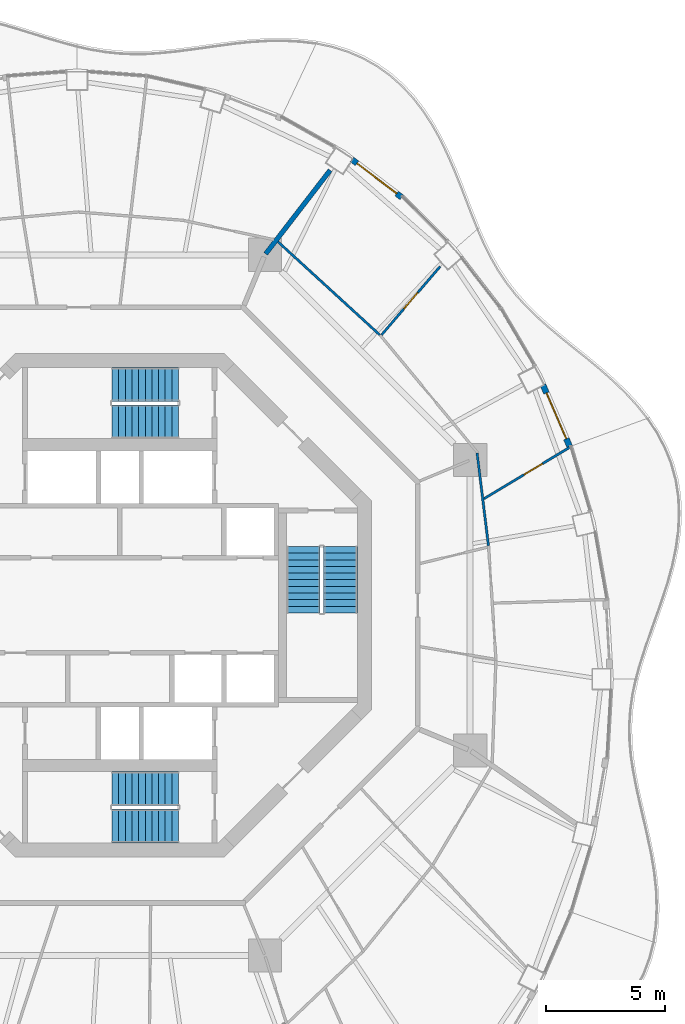
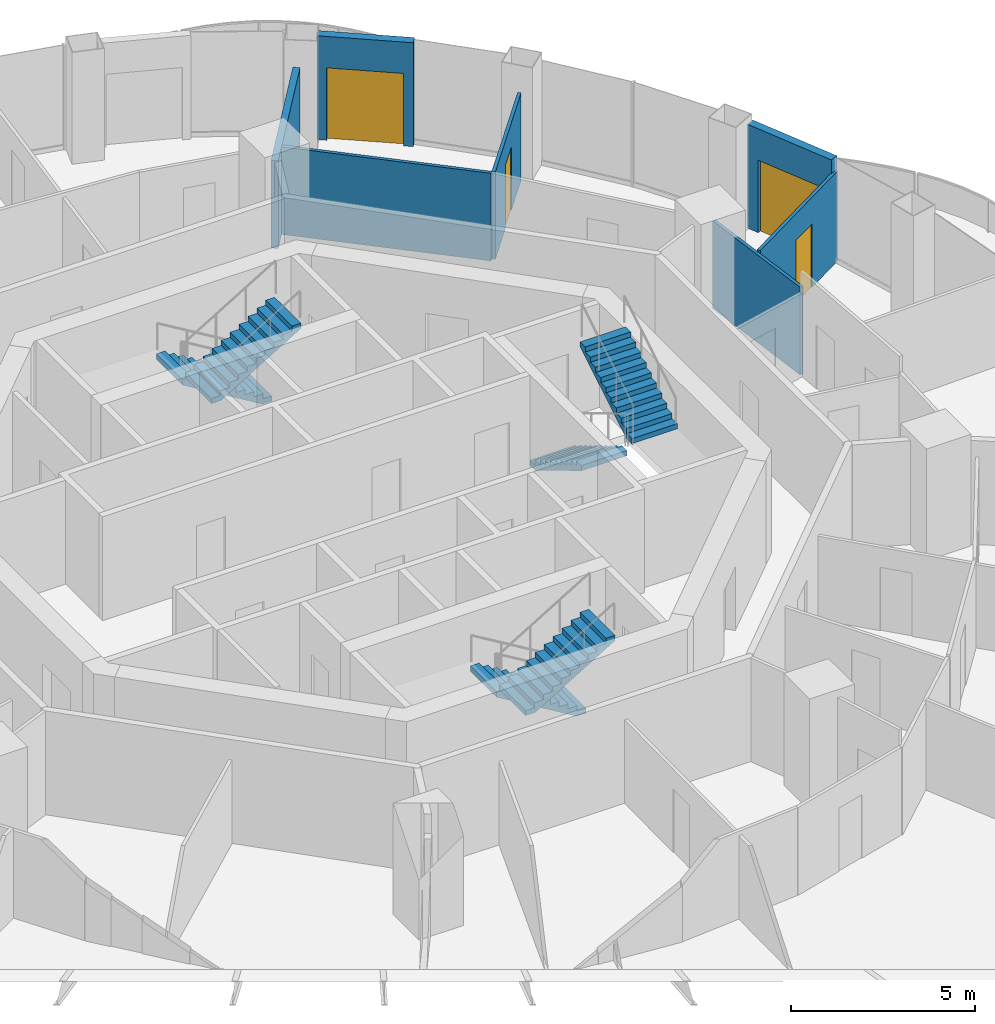
# One storey, part 14 of 17: 7 walls, 6 stair flights, 4 doors, 4 openings, 3 elements without a shape of their own.
"""IFC4 building model written with IfcOpenShell, lengths in metres."""

import ifcopenshell
import ifcopenshell.guid

model = None  # the IFC model being written
_history = None  # IfcOwnerHistory: only IFC2X3 demands one
_inside = {}  # id of a spatial element -> (the spatial element, [elements in it])
_under = {}  # id of a project, library or spatial element -> (it, [spatial elements below it])
_declared = {}  # id of a project -> (the project, [libraries it declares])
_typed = {}  # id of a type object -> (the type object, [elements of that type])
_made_of = {}  # id of a material, layer set ... -> (it, [elements and type objects made of it])


def new_model(schema):
    """Start an empty IFC model of exactly this schema.

    Asked for "IFC4X3", IfcOpenShell would pick the latest addendum, in which some entities
    have other attributes; the version numbers below select the first issue.
    IFC2X3 requires an IfcOwnerHistory on every rooted entity: one is made here for all.
    """
    global model, _history
    if schema == "IFC4X3":
        model = ifcopenshell.file(schema_version=(4, 3, 0, 0))
    else:
        model = ifcopenshell.file(schema=schema)
    _inside.clear()
    _under.clear()
    _declared.clear()
    _typed.clear()
    _made_of.clear()
    _history = None
    if model.schema == "IFC2X3":
        org = make("IfcOrganization", Name="unknown")
        user = make(
            "IfcPersonAndOrganization",
            ThePerson=make("IfcPerson", FamilyName="unknown"),
            TheOrganization=org,
        )
        app = make(
            "IfcApplication",
            ApplicationDeveloper=org,
            Version="unknown",
            ApplicationFullName="unknown",
            ApplicationIdentifier="unknown",
        )
        _history = make(
            "IfcOwnerHistory",
            OwningUser=user,
            OwningApplication=app,
            ChangeAction="ADDED",
            CreationDate=0,
        )
    return model


def make(cls, **values):
    """One entity of the class cls with the attributes given. An attribute that is None is left unset."""
    return model.create_entity(
        cls, **{name: value for name, value in values.items() if value is not None}
    )


def rooted(cls, **values):
    """An entity with a GlobalId (a new one), such as an element, a storey or a relation."""
    return make(cls, GlobalId=ifcopenshell.guid.new(), OwnerHistory=_history, **values)


def si_unit(unit_type, name, prefix=None):
    """IfcSIUnit, for example si_unit("LENGTHUNIT", "METRE", prefix="MILLI")."""
    return make("IfcSIUnit", UnitType=unit_type, Prefix=prefix, Name=name)


def assignment(units):
    """IfcUnitAssignment: the units of a project."""
    return None if units is None else make("IfcUnitAssignment", Units=units)


def point(xyz):
    """IfcCartesianPoint."""
    return None if xyz is None else make("IfcCartesianPoint", Coordinates=xyz)


def direction(xyz):
    """IfcDirection."""
    return None if xyz is None else make("IfcDirection", DirectionRatios=xyz)


def frame(location, z_axis=None, x_axis=None):
    """IfcAxis2Placement3D, a coordinate frame: its origin and axes. An axis left out is left unset."""
    return make(
        "IfcAxis2Placement3D",
        Location=point(location),
        Axis=direction(z_axis),
        RefDirection=direction(x_axis),
    )


def frame_2d(location, x_axis=None):
    """IfcAxis2Placement2D, a coordinate frame in the plane: its origin and x axis."""
    return make(
        "IfcAxis2Placement2D", Location=point(location), RefDirection=direction(x_axis)
    )


def origin():
    """The frame at (0, 0, 0) with its axes left unset."""
    return frame((0.0, 0.0, 0.0))


def place(relative_to, where):
    """IfcLocalPlacement: puts the frame where relative to a parent placement (None: the world)."""
    return make(
        "IfcLocalPlacement", PlacementRelTo=relative_to, RelativePlacement=where
    )


def context(
    kind, dimensions, precision=None, world=None, true_north=None, identifier=None
):
    """IfcGeometricRepresentationContext, for example the 3D "Model" context."""
    return make(
        "IfcGeometricRepresentationContext",
        ContextIdentifier=identifier,
        ContextType=kind,
        CoordinateSpaceDimension=dimensions,
        Precision=precision,
        WorldCoordinateSystem=world,
        TrueNorth=true_north,
    )


def subcontext(parent, identifier, kind, view, scale=None):
    """IfcGeometricRepresentationSubContext, for example "Body" below "Model"."""
    return make(
        "IfcGeometricRepresentationSubContext",
        ContextIdentifier=identifier,
        ContextType=kind,
        ParentContext=parent,
        TargetScale=scale,
        TargetView=view,
    )


def project(units=None, contexts=None):
    """IfcProject with its units and contexts."""
    return rooted(
        "IfcProject",
        Name="project",
        RepresentationContexts=contexts,
        UnitsInContext=assignment(units),
    )


def spatial(cls, under=None, at=None, **own):
    """A site, building, storey or space (cls), placed at a placement, below another one or the project."""
    s = rooted(cls, ObjectPlacement=at, **own)
    if under is not None:
        _under.setdefault(under.id(), (under, []))[1].append(s)
    return s


def polyline(points):
    """IfcPolyline through the points."""
    return make("IfcPolyline", Points=[point(p) for p in points])


def profile(cls, at=None, kind="AREA", **sizes):
    """A parametric profile (cls). Its sizes go by their IFC names, for example OverallWidth=200.0."""
    return make(cls, ProfileType=kind, Position=at, **sizes)


def rectangle(**sizes):
    """IfcRectangleProfileDef."""
    return profile("IfcRectangleProfileDef", **sizes)


def outline(outer, holes=None, kind="AREA"):
    """IfcArbitraryClosedProfileDef: a profile drawn as a closed curve; with holes, ...WithVoids."""
    if holes is None:
        return make("IfcArbitraryClosedProfileDef", ProfileType=kind, OuterCurve=outer)
    return make(
        "IfcArbitraryProfileDefWithVoids",
        ProfileType=kind,
        OuterCurve=outer,
        InnerCurves=holes,
    )


def extrude(swept, where, along, depth):
    """IfcExtrudedAreaSolid: the profile swept, set in the frame where, extruded along a direction by depth."""
    return make(
        "IfcExtrudedAreaSolid",
        SweptArea=swept,
        Position=where,
        ExtrudedDirection=direction(along),
        Depth=depth,
    )


def shape(context_of_items, identifier, shape_type, items):
    """IfcShapeRepresentation: the items that make up one representation, for example the "Body"."""
    return make(
        "IfcShapeRepresentation",
        ContextOfItems=context_of_items,
        RepresentationIdentifier=identifier,
        RepresentationType=shape_type,
        Items=items,
    )


def material(Name=None, Category=None):
    """IfcMaterial."""
    return make("IfcMaterial", Name=Name, Category=Category)


def layer(
    of_material, thickness, ventilated=None, Name=None, Category=None, Priority=None
):
    """IfcMaterialLayer: one layer of a wall or slab, of a material (None: an air gap)."""
    return make(
        "IfcMaterialLayer",
        Material=of_material,
        LayerThickness=thickness,
        IsVentilated=ventilated,
        Name=Name,
        Category=Category,
        Priority=Priority,
    )


def layer_set(layers, Name=None):
    """IfcMaterialLayerSet."""
    return make("IfcMaterialLayerSet", MaterialLayers=layers, LayerSetName=Name)


def made_of(thing, what):
    """Note that an element or type object is made of a material, layer set ...; save() writes the relation."""
    if what is not None:
        _made_of.setdefault(what.id(), (what, []))[1].append(thing)
    return thing


def type_object(cls, material=None, **own):
    """A type object (cls), such as IfcWallType, which elements share."""
    return made_of(rooted(cls, **own), material)


def element(
    cls,
    number,
    at=None,
    inside=None,
    cuts=None,
    type_object=None,
    material=None,
    context=None,
    identifier="Body",
    shape_type=None,
    held_by="IfcProductDefinitionShape",
    body=None,
    shapes=None,
    **own,
):
    """One element of the class cls, such as IfcWall. Its Tag is "e" and its number.

    at: its placement. inside: the storey or other place that contains it. cuts: it is an
    opening in that element (IfcRelVoidsElement). A single representation is given by context,
    identifier, shape_type and body (its items); several are given by shapes. held_by: the class
    of the entity that holds the representations. save() writes the other relations.
    """
    e = rooted(cls, Tag="e%d" % number, ObjectPlacement=at, **own)
    if body is not None:
        shapes = [shape(context, identifier, shape_type, body)]
    if shapes is not None:
        e.Representation = make(held_by, Representations=shapes)
    if inside is not None:
        _inside.setdefault(inside.id(), (inside, []))[1].append(e)
    if cuts is not None:
        rooted(
            "IfcRelVoidsElement", RelatingBuildingElement=cuts, RelatedOpeningElement=e
        )
    if type_object is not None:
        _typed.setdefault(type_object.id(), (type_object, []))[1].append(e)
    return made_of(e, material)


def fill(opening, filler):
    """IfcRelFillsElement: the door or window that sits in an opening."""
    return rooted(
        "IfcRelFillsElement",
        RelatingOpeningElement=opening,
        RelatedBuildingElement=filler,
    )


def aggregate(whole, parts):
    """IfcRelAggregates: a whole, such as a stair, and the parts it consists of."""
    return rooted("IfcRelAggregates", RelatingObject=whole, RelatedObjects=parts)


def save(model, path):
    """Write the relations noted so far, then the file.

    IfcRelAggregates (storeys below a building ...), IfcRelContainedInSpatialStructure (elements
    in a storey), IfcRelDefinesByType, IfcRelAssociatesMaterial and IfcRelDeclares: one each for
    every whole, place, type object, material and project.
    """
    for whole, parts in _under.values():
        aggregate(whole, parts)
    for where, things in _inside.values():
        rooted(
            "IfcRelContainedInSpatialStructure",
            RelatedElements=things,
            RelatingStructure=where,
        )
    for kind, things in _typed.values():
        rooted("IfcRelDefinesByType", RelatedObjects=things, RelatingType=kind)
    for what, things in _made_of.values():
        rooted("IfcRelAssociatesMaterial", RelatedObjects=things, RelatingMaterial=what)
    for by, libraries in _declared.values():
        rooted("IfcRelDeclares", RelatingContext=by, RelatedDefinitions=libraries)
    model.write(path)


model = new_model("IFC4")

# Units and contexts
model_context = context("Model", 3, precision=1e-05, world=origin(), true_north=direction((0.0, 1.0)))
body_context = subcontext(model_context, "Body", "Model", "MODEL_VIEW")
ifc_project = project(units=[si_unit("LENGTHUNIT", "METRE"), si_unit("AREAUNIT", "SQUARE_METRE"), si_unit("VOLUMEUNIT", "CUBIC_METRE"), si_unit("PLANEANGLEUNIT", "RADIAN"), si_unit("MASSUNIT", "GRAM", prefix="KILO")], contexts=[model_context])

# Site, building, storey
site_placement = place(None, origin())
site = spatial("IfcSite", under=ifc_project, at=site_placement, CompositionType="ELEMENT")
building_placement = place(site_placement, origin())
building = spatial("IfcBuilding", under=site, at=building_placement, Name="Nagisa Residences", CompositionType="ELEMENT")
storey_placement = place(building_placement, frame((0.0, 0.0, 262.199951171875)))
storey = spatial("IfcBuildingStorey", under=building, at=storey_placement, Name="L66", CompositionType="ELEMENT", Elevation=262.199951171875)

# Walls
ifc_material_1 = material(Name="Gypsum board on steel studs", Category="steel")
ifc_layer_1 = layer(ifc_material_1, 0.199951171875)
ifc_layer_set_1 = layer_set([ifc_layer_1], Name="Apartment compartment wall EI60 200")
wall_type_1 = type_object("IfcWallType", Name="Apartment compartment wall EI60 200", PredefinedType="PARTITIONING", material=ifc_layer_set_1)
wall_1_placement = place(storey_placement, frame((6.153564453125, 14.821533203125, 0.0), z_axis=(0.0, 0.0, 1.0), x_axis=(0.610687612043, 0.791871606068, 0.0)))
element("IfcWall", 1, at=wall_1_placement, inside=storey, type_object=wall_type_1, Name="wall:L66:u01", PredefinedType="PARTITIONING", context=body_context, shape_type="SweptSolid", body=[
    extrude(rectangle(XDim=4.454833984375, YDim=0.199951171875, at=frame_2d((2.2275390625, 0.0))), origin(), (0.0, 0.0, 1.0), 2.905029296875),
])
ifc_material_2 = material(Name="Gypsum board on steel studs", Category="steel")
ifc_layer_2 = layer(ifc_material_2, 0.10009765625)
ifc_layer_set_2 = layer_set([ifc_layer_2], Name="Apartment partition 100")
wall_type_2 = type_object("IfcWallType", Name="Apartment partition 100", PredefinedType="PARTITIONING", material=ifc_layer_set_2)
wall_2_placement = place(storey_placement, frame((15.552490234375, 2.50830078125, 0.0), z_axis=(0.0, 0.0, 1.0), x_axis=(-0.12196631785, 0.992534239868, 0.0)))
element("IfcWall", 2, at=wall_2_placement, inside=storey, type_object=wall_type_2, Name="wall:L66:u21", PredefinedType="PARTITIONING", context=body_context, shape_type="SweptSolid", body=[
    extrude(rectangle(XDim=3.937255859375, YDim=0.10009765625, at=frame_2d((1.96875, 0.0))), origin(), (0.0, 0.0, 1.0), 2.905029296875),
])

# Wall, opening, door
wall_3_placement = place(storey_placement, frame((15.355224609375, 4.488037109375, 0.0), z_axis=(0.0, 0.0, 1.0), x_axis=(0.85763237524, 0.514263268123, 0.0)))
wall_3 = element("IfcWall", 3, at=wall_3_placement, inside=storey, type_object=wall_type_2, Name="wall:L66:u22", PredefinedType="PARTITIONING", context=body_context, shape_type="SweptSolid", body=[
    extrude(rectangle(XDim=4.324462890625, YDim=0.10009765625, at=frame_2d((2.162109375, 0.0))), origin(), (0.0, 0.0, 1.0), 2.983154296875),
])
opening_1_placement = place(wall_3_placement, frame((1.984619140625, 0.0, 0.0)))
opening_1 = element("IfcOpeningElement", 4, at=opening_1_placement, cuts=wall_3, Name="Opening L66-U06", PredefinedType="OPENING", context=body_context, shape_type="SweptSolid", body=[
    extrude(rectangle(XDim=0.89990234375, YDim=2.10009765625, at=frame_2d((0.449951171875, 1.050048828125))), frame((0.0, 0.06005859375, 0.0), z_axis=(0.0, -1.0, 0.0), x_axis=(1.0, 0.0, 0.0)), (0.0, 0.0, 1.0), 0.1201171875),
])
ifc_material_3 = material(Name="Timber door set", Category="wood")
door_type_1 = type_object("IfcDoorType", Name="Apartment door 900x2100", OperationType="NOTDEFINED", PredefinedType="DOOR", material=ifc_material_3)
door_1_placement = place(opening_1_placement, origin())
door_1 = element("IfcDoor", 5, at=door_1_placement, inside=storey, type_object=door_type_1, Name="Door to kitchen, Apartment 66A", OperationType="SINGLE_SWING_RIGHT", OverallHeight=2.10009765625, OverallWidth=0.89990234375, PredefinedType="DOOR", context=body_context, shape_type="SweptSolid", body=[
    extrude(rectangle(XDim=0.89990234375, YDim=2.10009765625, at=frame_2d((0.449951171875, 1.050048828125))), frame((0.0, 0.02490234375, 0.0), z_axis=(0.0, -1.0, 0.0), x_axis=(1.0, 0.0, 0.0)), (0.0, 0.0, 1.0), 0.050048828125),
])
fill(opening_1, door_1)

wall_4_placement = place(storey_placement, frame((11.041259765625, 11.402099609375, 0.0), z_axis=(0.0, 0.0, 1.0), x_axis=(0.650558544325, 0.759456108282, 0.0)))
wall_4 = element("IfcWall", 6, at=wall_4_placement, inside=storey, type_object=wall_type_2, Name="wall:L66:u25", PredefinedType="PARTITIONING", context=body_context, shape_type="SweptSolid", body=[
    extrude(rectangle(XDim=3.800048828125, YDim=0.10009765625, at=frame_2d((1.89990234375, 0.0))), origin(), (0.0, 0.0, 1.0), 2.905029296875),
])
opening_2_placement = place(wall_4_placement, frame((1.4501953125, 0.0, 0.0)))
opening_2 = element("IfcOpeningElement", 7, at=opening_2_placement, cuts=wall_4, Name="Opening L66-U07", PredefinedType="OPENING", context=body_context, shape_type="SweptSolid", body=[
    extrude(rectangle(XDim=0.89990234375, YDim=2.10009765625, at=frame_2d((0.449951171875, 1.050048828125))), frame((0.0, 0.06005859375, 0.0), z_axis=(0.0, -1.0, 0.0), x_axis=(1.0, 0.0, 0.0)), (0.0, 0.0, 1.0), 0.1201171875),
])
door_2_placement = place(opening_2_placement, origin())
door_2 = element("IfcDoor", 8, at=door_2_placement, inside=storey, type_object=door_type_1, Name="Door to bedroom, Apartment 66A", OperationType="SINGLE_SWING_LEFT", OverallHeight=2.10009765625, OverallWidth=0.89990234375, PredefinedType="DOOR", context=body_context, shape_type="SweptSolid", body=[
    extrude(rectangle(XDim=0.89990234375, YDim=2.10009765625, at=frame_2d((0.449951171875, 1.050048828125))), frame((0.0, 0.02490234375, 0.0), z_axis=(0.0, -1.0, 0.0), x_axis=(1.0, 0.0, 0.0)), (0.0, 0.0, 1.0), 0.050048828125),
])
fill(opening_2, door_2)

# Wall
wall_5_placement = place(storey_placement, frame((10.9716796875, 11.397705078125, 0.0), z_axis=(0.0, 0.0, 1.0), x_axis=(-0.737830272434, 0.674986288069, 0.0)))
element("IfcWall", 9, at=wall_5_placement, inside=storey, type_object=wall_type_2, Name="wall:L66:u26", PredefinedType="PARTITIONING", context=body_context, shape_type="SweptSolid", body=[
    extrude(rectangle(XDim=5.827392578125, YDim=0.10009765625, at=frame_2d((2.91357421875, 0.0))), origin(), (0.0, 0.0, 1.0), 2.905029296875),
])

# Wall, opening, door
ifc_material_4 = material(Name="Precast concrete C40/50", Category="concrete")
ifc_layer_3 = layer(ifc_material_4, 0.25)
ifc_layer_set_3 = layer_set([ifc_layer_3], Name="BALCONY DOOR WALL 250")
wall_type_3 = type_object("IfcWallType", Name="BALCONY DOOR WALL 250", PredefinedType="SOLIDWALL", material=ifc_layer_set_3)
wall_6_placement = place(storey_placement, frame((17.853759765625, 9.289794921875, 0.0), z_axis=(0.0, 0.0, 1.0), x_axis=(0.397597791596, -0.9175598052, 0.0)))
wall_6 = element("IfcWall", 10, at=wall_6_placement, inside=storey, type_object=wall_type_3, Name="wall:L66:bay03", PredefinedType="SOLIDWALL", context=body_context, shape_type="SweptSolid", body=[
    extrude(rectangle(XDim=2.841064453125, YDim=0.25, at=frame_2d((1.42041015625, 0.0))), origin(), (0.0, 0.0, 1.0), 3.43994140625),
])
opening_3_placement = place(wall_6_placement, frame((0.37060546875, 0.0, 0.0)))
opening_3 = element("IfcOpeningElement", 11, at=opening_3_placement, cuts=wall_6, Name="Opening BD-L66-02", PredefinedType="OPENING", context=body_context, shape_type="SweptSolid", body=[
    extrude(rectangle(XDim=2.10009765625, YDim=2.39990234375, at=frame_2d((1.050048828125, 1.199951171875))), frame((0.0, 0.135009765625, 0.0), z_axis=(0.0, -1.0, 0.0), x_axis=(1.0, 0.0, 0.0)), (0.0, 0.0, 1.0), 0.27001953125),
])
ifc_material_5 = material(Name="Aluminium and clear glass", Category="aluminium")
door_type_2 = type_object("IfcDoorType", Name="BALCONY SLIDING DOOR 2100x2400", OperationType="SLIDING_TO_LEFT", PredefinedType="DOOR", material=ifc_material_5)
door_3_placement = place(opening_3_placement, origin())
door_3 = element("IfcDoor", 12, at=door_3_placement, inside=storey, type_object=door_type_2, Name="door:L66:bay03", OperationType="SLIDING_TO_LEFT", OverallHeight=2.39990234375, OverallWidth=2.10009765625, PredefinedType="DOOR", context=body_context, shape_type="SweptSolid", body=[
    extrude(rectangle(XDim=2.10009765625, YDim=2.39990234375, at=frame_2d((1.050048828125, 1.199951171875))), frame((0.0, 0.02490234375, 0.0), z_axis=(0.0, -1.0, 0.0), x_axis=(1.0, 0.0, 0.0)), (0.0, 0.0, 1.0), 0.050048828125),
])
fill(opening_3, door_3)

wall_7_placement = place(storey_placement, frame((9.79248046875, 18.802001953125, 0.0), z_axis=(0.0, 0.0, 1.0), x_axis=(0.796010739377, -0.605282498339, 0.0)))
wall_7 = element("IfcWall", 13, at=wall_7_placement, inside=storey, type_object=wall_type_3, Name="wall:L66:bay07", PredefinedType="SOLIDWALL", context=body_context, shape_type="SweptSolid", body=[
    extrude(rectangle(XDim=2.640625, YDim=0.25, at=frame_2d((1.3203125, 0.0))), origin(), (0.0, 0.0, 1.0), 3.43994140625),
])
opening_4_placement = place(wall_7_placement, frame((0.270263671875, 0.0, 0.0)))
opening_4 = element("IfcOpeningElement", 14, at=opening_4_placement, cuts=wall_7, Name="Opening BD-L66-03", PredefinedType="OPENING", context=body_context, shape_type="SweptSolid", body=[
    extrude(rectangle(XDim=2.10009765625, YDim=2.39990234375, at=frame_2d((1.050048828125, 1.199951171875))), frame((0.0, 0.135009765625, 0.0), z_axis=(0.0, -1.0, 0.0), x_axis=(1.0, 0.0, 0.0)), (0.0, 0.0, 1.0), 0.27001953125),
])
door_4_placement = place(opening_4_placement, origin())
door_4 = element("IfcDoor", 15, at=door_4_placement, inside=storey, type_object=door_type_2, Name="door:L66:bay07", OperationType="SLIDING_TO_LEFT", OverallHeight=2.39990234375, OverallWidth=2.10009765625, PredefinedType="DOOR", context=body_context, shape_type="SweptSolid", body=[
    extrude(rectangle(XDim=2.10009765625, YDim=2.39990234375, at=frame_2d((1.050048828125, 1.199951171875))), frame((0.0, 0.02490234375, 0.0), z_axis=(0.0, -1.0, 0.0), x_axis=(1.0, 0.0, 0.0)), (0.0, 0.0, 1.0), 0.050048828125),
])
fill(opening_4, door_4)

# Stair, stair flights
ifc_material_6 = material(Name="Concrete C60", Category="concrete")
stair_type = type_object("IfcStairType", Name="Exit stair", PredefinedType="HALF_TURN_STAIR", material=ifc_material_6)
stair_1_placement = place(storey_placement, origin())
stair_1 = element("IfcStair", 16, at=stair_1_placement, inside=storey, type_object=stair_type, Name="L66 Exit stair E", PredefinedType="HALF_TURN_STAIR")
ifc_material_7 = material(Name="Concrete C60", Category="concrete")
stair_flight_type = type_object("IfcStairFlightType", Name="Exit stair flight", PredefinedType="STRAIGHT", material=ifc_material_7)
stair_flight_1_placement = place(storey_placement, frame((7.737060546875, 2.47509765625, 0.0), z_axis=(0.0, 0.0, 1.0), x_axis=(0.0, -1.0, 0.0)))
stair_flight_1 = element("IfcStairFlight", 17, at=stair_flight_1_placement, type_object=stair_flight_type, Name="ST-E flight 1", NumberOfRisers=11, NumberOfTreads=10, PredefinedType="STRAIGHT", RiserHeight=0.168181818, TreadLength=0.28, context=body_context, shape_type="SweptSolid", body=[
    extrude(outline(polyline([(0.0, 0.0), (0.0, 0.168212890625), (0.280029296875, 0.168212890625), (0.280029296875, 0.33642578125), (0.56005859375, 0.33642578125), (0.56005859375, 0.504638671875), (0.840087890625, 0.504638671875), (0.840087890625, 0.672607421875), (1.1201171875, 0.672607421875), (1.1201171875, 0.8408203125), (1.39990234375, 0.8408203125), (1.39990234375, 1.009033203125), (1.679931640625, 1.009033203125), (1.679931640625, 1.17724609375), (1.9599609375, 1.17724609375), (1.9599609375, 1.345458984375), (2.239990234375, 1.345458984375), (2.239990234375, 1.513671875), (2.52001953125, 1.513671875), (2.52001953125, 1.681884765625), (2.800048828125, 1.681884765625), (2.800048828125, 1.85009765625), (2.800048828125, 1.5068359375), (0.291015625, 0.0), (0.0, 0.0)])), frame((0.0, 0.71240234375, 0.0), z_axis=(0.0, -1.0, 0.0), x_axis=(1.0, 0.0, 0.0)), (0.0, 0.0, 1.0), 1.425048828125),
])
stair_flight_2_placement = place(storey_placement, frame((9.31201171875, -0.324951171875, 1.85009765625), z_axis=(0.0, 0.0, 1.0), x_axis=(0.0, 1.0, 0.0)))
stair_flight_2 = element("IfcStairFlight", 18, at=stair_flight_2_placement, type_object=stair_flight_type, Name="ST-E flight 2", NumberOfRisers=11, NumberOfTreads=10, PredefinedType="STRAIGHT", RiserHeight=0.168181818, TreadLength=0.28, context=body_context, shape_type="SweptSolid", body=[
    extrude(outline(polyline([(0.0, 0.0), (0.0, 0.168212890625), (0.280029296875, 0.168212890625), (0.280029296875, 0.33642578125), (0.56005859375, 0.33642578125), (0.56005859375, 0.504638671875), (0.840087890625, 0.504638671875), (0.840087890625, 0.672607421875), (1.1201171875, 0.672607421875), (1.1201171875, 0.8408203125), (1.39990234375, 0.8408203125), (1.39990234375, 1.009033203125), (1.679931640625, 1.009033203125), (1.679931640625, 1.17724609375), (1.9599609375, 1.17724609375), (1.9599609375, 1.345458984375), (2.239990234375, 1.345458984375), (2.239990234375, 1.513671875), (2.52001953125, 1.513671875), (2.52001953125, 1.681884765625), (2.800048828125, 1.681884765625), (2.800048828125, 1.85009765625), (2.800048828125, 1.5068359375), (0.291015625, 0.0), (0.0, 0.0)])), frame((0.0, 0.71240234375, 0.0), z_axis=(0.0, -1.0, 0.0), x_axis=(1.0, 0.0, 0.0)), (0.0, 0.0, 1.0), 1.425048828125),
])
aggregate(stair_1, [stair_flight_1, stair_flight_2])

stair_2_placement = place(storey_placement, origin())
stair_2 = element("IfcStair", 19, at=stair_2_placement, inside=storey, type_object=stair_type, Name="L66 Exit stair N", PredefinedType="HALF_TURN_STAIR")
stair_flight_3_placement = place(storey_placement, frame((2.47509765625, 9.31201171875, 0.0), z_axis=(0.0, 0.0, 1.0), x_axis=(-1.0, 0.0, 0.0)))
stair_flight_3 = element("IfcStairFlight", 20, at=stair_flight_3_placement, type_object=stair_flight_type, Name="ST-N flight 1", NumberOfRisers=11, NumberOfTreads=10, PredefinedType="STRAIGHT", RiserHeight=0.168181818, TreadLength=0.28, context=body_context, shape_type="SweptSolid", body=[
    extrude(outline(polyline([(0.0, 0.0), (0.0, 0.168212890625), (0.280029296875, 0.168212890625), (0.280029296875, 0.33642578125), (0.56005859375, 0.33642578125), (0.56005859375, 0.504638671875), (0.840087890625, 0.504638671875), (0.840087890625, 0.672607421875), (1.1201171875, 0.672607421875), (1.1201171875, 0.8408203125), (1.39990234375, 0.8408203125), (1.39990234375, 1.009033203125), (1.679931640625, 1.009033203125), (1.679931640625, 1.17724609375), (1.9599609375, 1.17724609375), (1.9599609375, 1.345458984375), (2.239990234375, 1.345458984375), (2.239990234375, 1.513671875), (2.52001953125, 1.513671875), (2.52001953125, 1.681884765625), (2.800048828125, 1.681884765625), (2.800048828125, 1.85009765625), (2.800048828125, 1.5068359375), (0.291015625, 0.0), (0.0, 0.0)])), frame((0.0, 0.71240234375, 0.0), z_axis=(0.0, -1.0, 0.0), x_axis=(1.0, 0.0, 0.0)), (0.0, 0.0, 1.0), 1.425048828125),
])
stair_flight_4_placement = place(storey_placement, frame((-0.324951171875, 7.737060546875, 1.85009765625), z_axis=(0.0, 0.0, 1.0), x_axis=(1.0, 0.0, 0.0)))
stair_flight_4 = element("IfcStairFlight", 21, at=stair_flight_4_placement, type_object=stair_flight_type, Name="ST-N flight 2", NumberOfRisers=11, NumberOfTreads=10, PredefinedType="STRAIGHT", RiserHeight=0.168181818, TreadLength=0.28, context=body_context, shape_type="SweptSolid", body=[
    extrude(outline(polyline([(0.0, 0.0), (0.0, 0.168212890625), (0.280029296875, 0.168212890625), (0.280029296875, 0.33642578125), (0.56005859375, 0.33642578125), (0.56005859375, 0.504638671875), (0.840087890625, 0.504638671875), (0.840087890625, 0.672607421875), (1.1201171875, 0.672607421875), (1.1201171875, 0.8408203125), (1.39990234375, 0.8408203125), (1.39990234375, 1.009033203125), (1.679931640625, 1.009033203125), (1.679931640625, 1.17724609375), (1.9599609375, 1.17724609375), (1.9599609375, 1.345458984375), (2.239990234375, 1.345458984375), (2.239990234375, 1.513671875), (2.52001953125, 1.513671875), (2.52001953125, 1.681884765625), (2.800048828125, 1.681884765625), (2.800048828125, 1.85009765625), (2.800048828125, 1.5068359375), (0.291015625, 0.0), (0.0, 0.0)])), frame((0.0, 0.71240234375, 0.0), z_axis=(0.0, -1.0, 0.0), x_axis=(1.0, 0.0, 0.0)), (0.0, 0.0, 1.0), 1.425048828125),
])
aggregate(stair_2, [stair_flight_3, stair_flight_4])

stair_3_placement = place(storey_placement, origin())
stair_3 = element("IfcStair", 22, at=stair_3_placement, inside=storey, type_object=stair_type, Name="L66 Exit stair S", PredefinedType="HALF_TURN_STAIR")
stair_flight_5_placement = place(storey_placement, frame((2.47509765625, -7.737060546875, 0.0), z_axis=(0.0, 0.0, 1.0), x_axis=(-1.0, 0.0, 0.0)))
stair_flight_5 = element("IfcStairFlight", 23, at=stair_flight_5_placement, type_object=stair_flight_type, Name="ST-S flight 1", NumberOfRisers=11, NumberOfTreads=10, PredefinedType="STRAIGHT", RiserHeight=0.168181818, TreadLength=0.28, context=body_context, shape_type="SweptSolid", body=[
    extrude(outline(polyline([(0.0, 0.0), (0.0, 0.168212890625), (0.280029296875, 0.168212890625), (0.280029296875, 0.33642578125), (0.56005859375, 0.33642578125), (0.56005859375, 0.504638671875), (0.840087890625, 0.504638671875), (0.840087890625, 0.672607421875), (1.1201171875, 0.672607421875), (1.1201171875, 0.8408203125), (1.39990234375, 0.8408203125), (1.39990234375, 1.009033203125), (1.679931640625, 1.009033203125), (1.679931640625, 1.17724609375), (1.9599609375, 1.17724609375), (1.9599609375, 1.345458984375), (2.239990234375, 1.345458984375), (2.239990234375, 1.513671875), (2.52001953125, 1.513671875), (2.52001953125, 1.681884765625), (2.800048828125, 1.681884765625), (2.800048828125, 1.85009765625), (2.800048828125, 1.5068359375), (0.291015625, 0.0), (0.0, 0.0)])), frame((0.0, 0.71240234375, 0.0), z_axis=(0.0, -1.0, 0.0), x_axis=(1.0, 0.0, 0.0)), (0.0, 0.0, 1.0), 1.425048828125),
])
stair_flight_6_placement = place(storey_placement, frame((-0.324951171875, -9.31201171875, 1.85009765625), z_axis=(0.0, 0.0, 1.0), x_axis=(1.0, 0.0, 0.0)))
stair_flight_6 = element("IfcStairFlight", 24, at=stair_flight_6_placement, type_object=stair_flight_type, Name="ST-S flight 2", NumberOfRisers=11, NumberOfTreads=10, PredefinedType="STRAIGHT", RiserHeight=0.168181818, TreadLength=0.28, context=body_context, shape_type="SweptSolid", body=[
    extrude(outline(polyline([(0.0, 0.0), (0.0, 0.168212890625), (0.280029296875, 0.168212890625), (0.280029296875, 0.33642578125), (0.56005859375, 0.33642578125), (0.56005859375, 0.504638671875), (0.840087890625, 0.504638671875), (0.840087890625, 0.672607421875), (1.1201171875, 0.672607421875), (1.1201171875, 0.8408203125), (1.39990234375, 0.8408203125), (1.39990234375, 1.009033203125), (1.679931640625, 1.009033203125), (1.679931640625, 1.17724609375), (1.9599609375, 1.17724609375), (1.9599609375, 1.345458984375), (2.239990234375, 1.345458984375), (2.239990234375, 1.513671875), (2.52001953125, 1.513671875), (2.52001953125, 1.681884765625), (2.800048828125, 1.681884765625), (2.800048828125, 1.85009765625), (2.800048828125, 1.5068359375), (0.291015625, 0.0), (0.0, 0.0)])), frame((0.0, 0.71240234375, 0.0), z_axis=(0.0, -1.0, 0.0), x_axis=(1.0, 0.0, 0.0)), (0.0, 0.0, 1.0), 1.425048828125),
])
aggregate(stair_3, [stair_flight_5, stair_flight_6])

save(model, "model.ifc")
